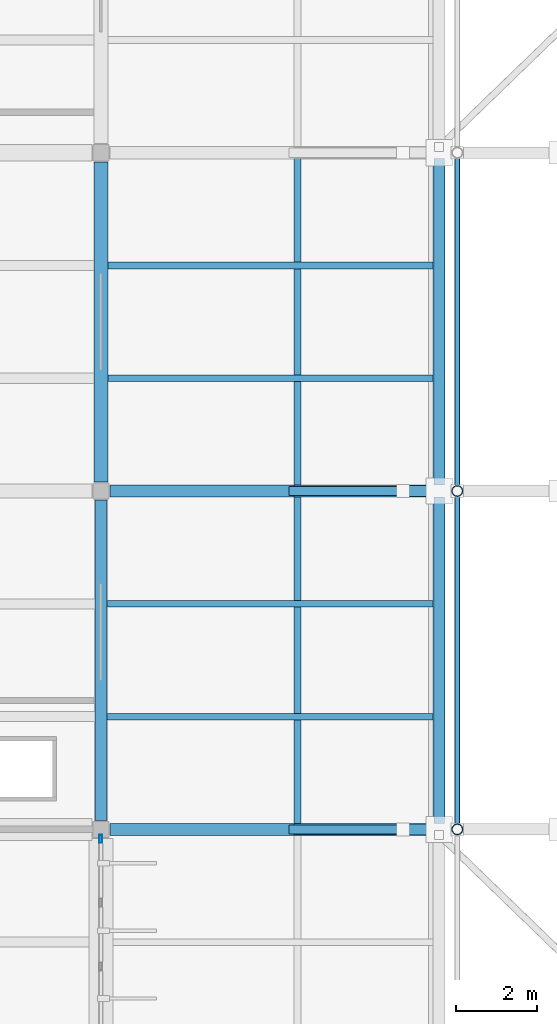
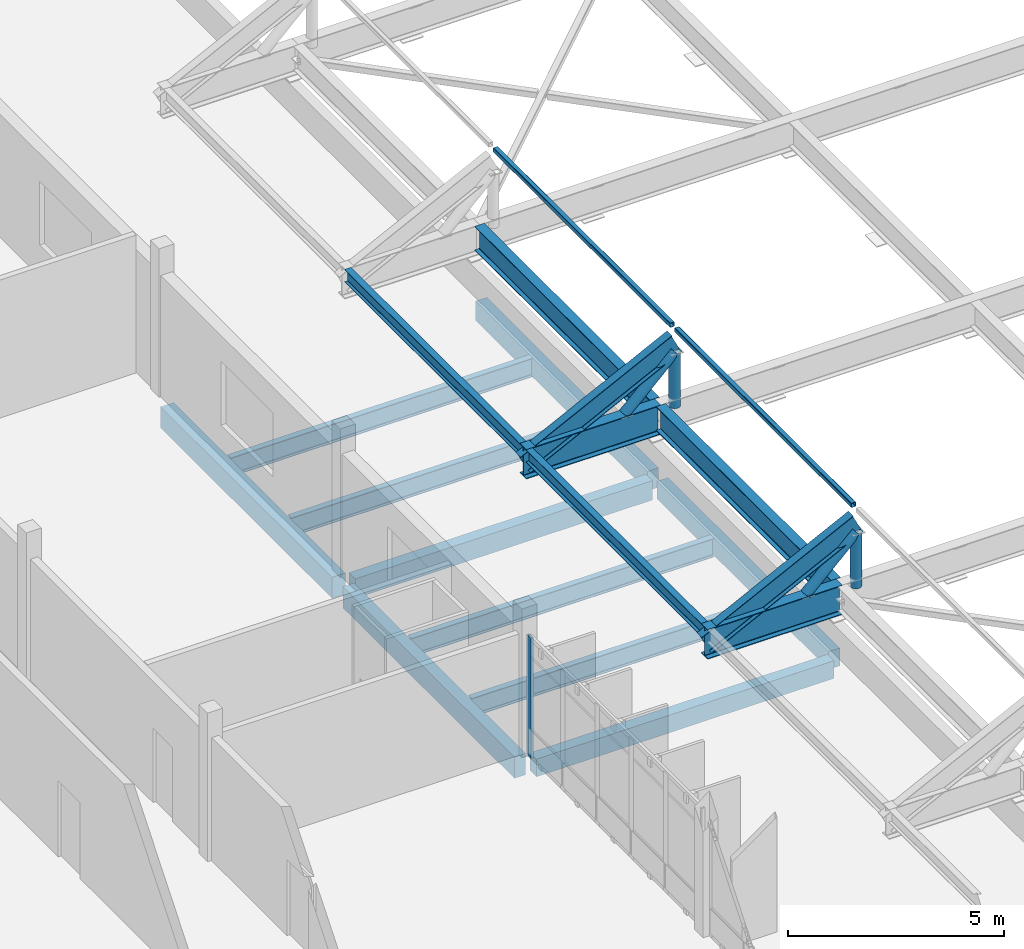
# One storey, part 14 of 41: 18 beams, 7 members, 1 element without a shape of its own.
"""IFC4 building model written with IfcOpenShell, lengths in metres."""

import ifcopenshell
import ifcopenshell.guid

model = None  # the IFC model being written
_history = None  # IfcOwnerHistory: only IFC2X3 demands one
_inside = {}  # id of a spatial element -> (the spatial element, [elements in it])
_under = {}  # id of a project, library or spatial element -> (it, [spatial elements below it])
_declared = {}  # id of a project -> (the project, [libraries it declares])
_typed = {}  # id of a type object -> (the type object, [elements of that type])
_made_of = {}  # id of a material, layer set ... -> (it, [elements and type objects made of it])


def new_model(schema):
    """Start an empty IFC model of exactly this schema.

    Asked for "IFC4X3", IfcOpenShell would pick the latest addendum, in which some entities
    have other attributes; the version numbers below select the first issue.
    IFC2X3 requires an IfcOwnerHistory on every rooted entity: one is made here for all.
    """
    global model, _history
    if schema == "IFC4X3":
        model = ifcopenshell.file(schema_version=(4, 3, 0, 0))
    else:
        model = ifcopenshell.file(schema=schema)
    _inside.clear()
    _under.clear()
    _declared.clear()
    _typed.clear()
    _made_of.clear()
    _history = None
    if model.schema == "IFC2X3":
        org = make("IfcOrganization", Name="unknown")
        user = make(
            "IfcPersonAndOrganization",
            ThePerson=make("IfcPerson", FamilyName="unknown"),
            TheOrganization=org,
        )
        app = make(
            "IfcApplication",
            ApplicationDeveloper=org,
            Version="unknown",
            ApplicationFullName="unknown",
            ApplicationIdentifier="unknown",
        )
        _history = make(
            "IfcOwnerHistory",
            OwningUser=user,
            OwningApplication=app,
            ChangeAction="ADDED",
            CreationDate=0,
        )
    return model


def make(cls, **values):
    """One entity of the class cls with the attributes given. An attribute that is None is left unset."""
    return model.create_entity(
        cls, **{name: value for name, value in values.items() if value is not None}
    )


def rooted(cls, **values):
    """An entity with a GlobalId (a new one), such as an element, a storey or a relation."""
    return make(cls, GlobalId=ifcopenshell.guid.new(), OwnerHistory=_history, **values)


def si_unit(unit_type, name, prefix=None):
    """IfcSIUnit, for example si_unit("LENGTHUNIT", "METRE", prefix="MILLI")."""
    return make("IfcSIUnit", UnitType=unit_type, Prefix=prefix, Name=name)


def assignment(units):
    """IfcUnitAssignment: the units of a project."""
    return None if units is None else make("IfcUnitAssignment", Units=units)


def point(xyz):
    """IfcCartesianPoint."""
    return None if xyz is None else make("IfcCartesianPoint", Coordinates=xyz)


def direction(xyz):
    """IfcDirection."""
    return None if xyz is None else make("IfcDirection", DirectionRatios=xyz)


def frame(location, z_axis=None, x_axis=None):
    """IfcAxis2Placement3D, a coordinate frame: its origin and axes. An axis left out is left unset."""
    return make(
        "IfcAxis2Placement3D",
        Location=point(location),
        Axis=direction(z_axis),
        RefDirection=direction(x_axis),
    )


def frame_2d(location, x_axis=None):
    """IfcAxis2Placement2D, a coordinate frame in the plane: its origin and x axis."""
    return make(
        "IfcAxis2Placement2D", Location=point(location), RefDirection=direction(x_axis)
    )


def origin():
    """The frame at (0, 0, 0) with its axes left unset."""
    return frame((0.0, 0.0, 0.0))


def origin_2d():
    """The frame at (0, 0) in the plane with its x axis left unset."""
    return frame_2d((0.0, 0.0))


def place(relative_to, where):
    """IfcLocalPlacement: puts the frame where relative to a parent placement (None: the world)."""
    return make(
        "IfcLocalPlacement", PlacementRelTo=relative_to, RelativePlacement=where
    )


def context(
    kind, dimensions, precision=None, world=None, true_north=None, identifier=None
):
    """IfcGeometricRepresentationContext, for example the 3D "Model" context."""
    return make(
        "IfcGeometricRepresentationContext",
        ContextIdentifier=identifier,
        ContextType=kind,
        CoordinateSpaceDimension=dimensions,
        Precision=precision,
        WorldCoordinateSystem=world,
        TrueNorth=true_north,
    )


def subcontext(parent, identifier, kind, view, scale=None):
    """IfcGeometricRepresentationSubContext, for example "Body" below "Model"."""
    return make(
        "IfcGeometricRepresentationSubContext",
        ContextIdentifier=identifier,
        ContextType=kind,
        ParentContext=parent,
        TargetScale=scale,
        TargetView=view,
    )


def project(units=None, contexts=None):
    """IfcProject with its units and contexts."""
    return rooted(
        "IfcProject",
        Name="project",
        RepresentationContexts=contexts,
        UnitsInContext=assignment(units),
    )


def spatial(cls, under=None, at=None, **own):
    """A site, building, storey or space (cls), placed at a placement, below another one or the project."""
    s = rooted(cls, ObjectPlacement=at, **own)
    if under is not None:
        _under.setdefault(under.id(), (under, []))[1].append(s)
    return s


def profile(cls, at=None, kind="AREA", **sizes):
    """A parametric profile (cls). Its sizes go by their IFC names, for example OverallWidth=200.0."""
    return make(cls, ProfileType=kind, Position=at, **sizes)


def rectangle(**sizes):
    """IfcRectangleProfileDef."""
    return profile("IfcRectangleProfileDef", **sizes)


def hollow_rectangle(**sizes):
    """IfcRectangleHollowProfileDef."""
    return profile("IfcRectangleHollowProfileDef", **sizes)


def hollow_circle(**sizes):
    """IfcCircleHollowProfileDef."""
    return profile("IfcCircleHollowProfileDef", **sizes)


def i_section(**sizes):
    """IfcIShapeProfileDef."""
    return profile("IfcIShapeProfileDef", **sizes)


def extrude(swept, where, along, depth):
    """IfcExtrudedAreaSolid: the profile swept, set in the frame where, extruded along a direction by depth."""
    return make(
        "IfcExtrudedAreaSolid",
        SweptArea=swept,
        Position=where,
        ExtrudedDirection=direction(along),
        Depth=depth,
    )


def shape(context_of_items, identifier, shape_type, items):
    """IfcShapeRepresentation: the items that make up one representation, for example the "Body"."""
    return make(
        "IfcShapeRepresentation",
        ContextOfItems=context_of_items,
        RepresentationIdentifier=identifier,
        RepresentationType=shape_type,
        Items=items,
    )


def material(Name=None, Category=None):
    """IfcMaterial."""
    return make("IfcMaterial", Name=Name, Category=Category)


def layer(
    of_material, thickness, ventilated=None, Name=None, Category=None, Priority=None
):
    """IfcMaterialLayer: one layer of a wall or slab, of a material (None: an air gap)."""
    return make(
        "IfcMaterialLayer",
        Material=of_material,
        LayerThickness=thickness,
        IsVentilated=ventilated,
        Name=Name,
        Category=Category,
        Priority=Priority,
    )


def layer_set(layers, Name=None):
    """IfcMaterialLayerSet."""
    return make("IfcMaterialLayerSet", MaterialLayers=layers, LayerSetName=Name)


def material_profile(
    of_material, cross_section, Name=None, Category=None, Priority=None
):
    """IfcMaterialProfile: a cross section and its material."""
    return make(
        "IfcMaterialProfile",
        Name=Name,
        Material=of_material,
        Profile=cross_section,
        Priority=Priority,
        Category=Category,
    )


def profile_set(profiles, Name=None, composite=None):
    """IfcMaterialProfileSet."""
    return make(
        "IfcMaterialProfileSet",
        Name=Name,
        MaterialProfiles=profiles,
        CompositeProfile=composite,
    )


def made_of(thing, what):
    """Note that an element or type object is made of a material, layer set ...; save() writes the relation."""
    if what is not None:
        _made_of.setdefault(what.id(), (what, []))[1].append(thing)
    return thing


def type_object(cls, material=None, **own):
    """A type object (cls), such as IfcWallType, which elements share."""
    return made_of(rooted(cls, **own), material)


def element(
    cls,
    number,
    at=None,
    inside=None,
    cuts=None,
    type_object=None,
    material=None,
    context=None,
    identifier="Body",
    shape_type=None,
    held_by="IfcProductDefinitionShape",
    body=None,
    shapes=None,
    **own,
):
    """One element of the class cls, such as IfcWall. Its Tag is "e" and its number.

    at: its placement. inside: the storey or other place that contains it. cuts: it is an
    opening in that element (IfcRelVoidsElement). A single representation is given by context,
    identifier, shape_type and body (its items); several are given by shapes. held_by: the class
    of the entity that holds the representations. save() writes the other relations.
    """
    e = rooted(cls, Tag="e%d" % number, ObjectPlacement=at, **own)
    if body is not None:
        shapes = [shape(context, identifier, shape_type, body)]
    if shapes is not None:
        e.Representation = make(held_by, Representations=shapes)
    if inside is not None:
        _inside.setdefault(inside.id(), (inside, []))[1].append(e)
    if cuts is not None:
        rooted(
            "IfcRelVoidsElement", RelatingBuildingElement=cuts, RelatedOpeningElement=e
        )
    if type_object is not None:
        _typed.setdefault(type_object.id(), (type_object, []))[1].append(e)
    return made_of(e, material)


def aggregate(whole, parts):
    """IfcRelAggregates: a whole, such as a stair, and the parts it consists of."""
    return rooted("IfcRelAggregates", RelatingObject=whole, RelatedObjects=parts)


def save(model, path):
    """Write the relations noted so far, then the file.

    IfcRelAggregates (storeys below a building ...), IfcRelContainedInSpatialStructure (elements
    in a storey), IfcRelDefinesByType, IfcRelAssociatesMaterial and IfcRelDeclares: one each for
    every whole, place, type object, material and project.
    """
    for whole, parts in _under.values():
        aggregate(whole, parts)
    for where, things in _inside.values():
        rooted(
            "IfcRelContainedInSpatialStructure",
            RelatedElements=things,
            RelatingStructure=where,
        )
    for kind, things in _typed.values():
        rooted("IfcRelDefinesByType", RelatedObjects=things, RelatingType=kind)
    for what, things in _made_of.values():
        rooted("IfcRelAssociatesMaterial", RelatedObjects=things, RelatingMaterial=what)
    for by, libraries in _declared.values():
        rooted("IfcRelDeclares", RelatingContext=by, RelatedDefinitions=libraries)
    model.write(path)


model = new_model("IFC4")

# Units and contexts
model_context = context("Model", 3, precision=1e-05, world=origin(), true_north=direction((0.0, 1.0)))
body_context = subcontext(model_context, "Body", "Model", "MODEL_VIEW")
ifc_project = project(units=[si_unit("LENGTHUNIT", "METRE"), si_unit("AREAUNIT", "SQUARE_METRE"), si_unit("VOLUMEUNIT", "CUBIC_METRE"), si_unit("PLANEANGLEUNIT", "RADIAN"), si_unit("MASSUNIT", "GRAM", prefix="KILO")], contexts=[model_context])

# Site, building, storey
site_placement = place(None, origin())
site = spatial("IfcSite", under=ifc_project, at=site_placement, CompositionType="ELEMENT")
building_placement = place(site_placement, origin())
building = spatial("IfcBuilding", under=site, at=building_placement, Name="Vireocrest Preparatory School", CompositionType="ELEMENT")
storey_placement = place(building_placement, frame((0.0, 0.0, 21.60009765625)))
storey = spatial("IfcBuildingStorey", under=building, at=storey_placement, Name="L05", CompositionType="ELEMENT", Elevation=21.60009765625)

# Beams
ifc_material_1 = material(Name="Structural steel ASTM A992 Grade 50", Category="steel")
ifc_material_profile_1 = material_profile(ifc_material_1, i_section(OverallWidth=0.25390625, OverallDepth=0.68408203125, WebThickness=0.012451171875, FlangeThickness=0.018798828125, FilletRadius=0.01806640625, at=origin_2d()), Name="W27X94")
ifc_profile_set_1 = profile_set([ifc_material_profile_1], Name="Structural steel ASTM A992 Grade 50")
beam_type_1 = type_object("IfcBeamType", Name="Bridge Primary Steel Girder W27X94", PredefinedType="BEAM", material=ifc_profile_set_1)
for number, where, z_axis, x_axis, name in (
    (1, (67.199951171875, 60.743896484375, 1.492919921875), (0.0, 1.0, 0.0), (-1.0, 0.0, 0.0), "Canopy Longitudinal Beam WO-5"),
    (2, (67.199951171875, 69.14404296875, 1.492919921875), (0.0, 1.0, 0.0), (-1.0, 0.0, 0.0), "Canopy Longitudinal Beam WO-6"),
):
    element("IfcBeam", number, at=place(storey_placement, frame(where, z_axis=z_axis, x_axis=x_axis)), inside=storey, type_object=beam_type_1, Name=name, PredefinedType="BEAM", context=body_context, shape_type="SweptSolid", body=[
        extrude(i_section(OverallWidth=0.25390625, OverallDepth=0.68408203125, WebThickness=0.012451171875, FlangeThickness=0.018798828125, FilletRadius=0.01806640625, at=origin_2d()), origin(), (0.0, 0.0, 1.0), 8.112060546875),
    ])

# Curtain wall, member
ifc_material_2 = material(Name="Thermally broken aluminium EN AW-6063-T6", Category="aluminium")
ifc_layer = layer(ifc_material_2, 0.179931640625)
ifc_layer_set = layer_set([ifc_layer], Name="Thermally broken aluminium EN AW-6063-T6")
curtain_wall_type = type_object("IfcCurtainWallType", Name="Teaching Fin Curtain Wall 8400x4200", PredefinedType="USERDEFINED", material=ifc_layer_set)
curtain_wall_placement = place(storey_placement, origin())
curtain_wall = element("IfcCurtainWall", 3, at=curtain_wall_placement, inside=storey, type_object=curtain_wall_type, Name="Curtain Wall CW03 CW_L05_CW03_0588_0524_216", ObjectType="CURTAIN WALL", PredefinedType="USERDEFINED")
ifc_material_profile_2 = material_profile(ifc_material_2, hollow_rectangle(XDim=0.074951171875, YDim=0.199951171875, WallThickness=0.0048828125, at=origin_2d()), Name="ALU 75x200x5")
ifc_profile_set_2 = profile_set([ifc_material_profile_2], Name="Thermally broken aluminium EN AW-6063-T6")
member_type_1 = type_object("IfcMemberType", Name="CW Mullion 75x200x5", PredefinedType="MULLION", material=ifc_profile_set_2)
member_1_placement = place(storey_placement, frame((58.800048828125, 60.364990234375, 0.0), z_axis=(0.0, 0.0, 1.0), x_axis=(1.0, 0.0, 0.0)))
member_1 = element("IfcMember", 4, at=member_1_placement, type_object=member_type_1, Name="CW Mullion ML3 CW_L05_CW03_0588_0524_216-6", PredefinedType="MULLION", context=body_context, shape_type="SweptSolid", body=[
    extrude(hollow_rectangle(XDim=0.074951171875, YDim=0.199951171875, WallThickness=0.0048828125, at=origin_2d()), origin(), (0.0, 0.0, 1.0), 3.39501953125),
])
aggregate(curtain_wall, [member_1])

# Members
ifc_material_3 = material(Name="Painted white steel ASTM A500 Grade C", Category="steel")
ifc_material_profile_3 = material_profile(ifc_material_3, hollow_rectangle(XDim=0.126953125, YDim=0.126953125, WallThickness=0.0087890625, InnerFilletRadius=0.0087890625, OuterFilletRadius=0.017822265625, at=origin_2d()), Name="HSS5X5X3/8")
ifc_profile_set_3 = profile_set([ifc_material_profile_3], Name="Painted white steel ASTM A500 Grade C")
member_type_2 = type_object("IfcMemberType", Name="Canopy Glass Steel Purlin HSS5X5X3/8", PredefinedType="PURLIN", material=ifc_profile_set_3)
for number, where, z_axis, x_axis, name in (
    (5, (67.64990234375, 60.7099609375, 3.7919921875), (0.0, 1.0, 0.0), (-1.0, 0.0, 0.0), "Canopy Glass Purlin PR2-5-2"),
    (6, (67.64990234375, 69.110107421875, 3.7919921875), (0.0, 1.0, 0.0), (-1.0, 0.0, 0.0), "Canopy Glass Purlin PR2-6-2"),
):
    element("IfcMember", number, at=place(storey_placement, frame(where, z_axis=z_axis, x_axis=x_axis)), inside=storey, type_object=member_type_2, Name=name, PredefinedType="PURLIN", context=body_context, shape_type="SweptSolid", body=[
        extrude(hollow_rectangle(XDim=0.126953125, YDim=0.126953125, WallThickness=0.0087890625, InnerFilletRadius=0.0087890625, OuterFilletRadius=0.017822265625, at=origin_2d()), origin(), (0.0, 0.0, 1.0), 8.179931640625),
    ])

# Beams
ifc_material_profile_4 = material_profile(ifc_material_1, i_section(OverallWidth=0.2919921875, OverallDepth=0.8349609375, WebThickness=0.013916015625, FlangeThickness=0.018798828125, FilletRadius=0.02001953125, at=origin_2d()), Name="W33X118")
ifc_profile_set_4 = profile_set([ifc_material_profile_4], Name="Structural steel ASTM A992 Grade 50")
beam_type_2 = type_object("IfcBeamType", Name="Central Court Canopy Primary Girder W33X118", PredefinedType="BEAM", material=ifc_profile_set_4)
for number, where, z_axis, x_axis, name in (
    (7, (63.60009765625, 60.60009765625, 1.41748046875), (1.0, 0.0, 0.0), (0.0, 1.0, 0.0), "Central Court Canopy Primary Girder CG1-5W"),
    (8, (63.60009765625, 69.0, 1.41748046875), (1.0, 0.0, 0.0), (0.0, 1.0, 0.0), "Central Court Canopy Primary Girder CG1-6W"),
):
    element("IfcBeam", number, at=place(storey_placement, frame(where, z_axis=z_axis, x_axis=x_axis)), inside=storey, type_object=beam_type_2, Name=name, PredefinedType="BEAM", context=body_context, shape_type="SweptSolid", body=[
        extrude(i_section(OverallWidth=0.2919921875, OverallDepth=0.8349609375, WebThickness=0.013916015625, FlangeThickness=0.018798828125, FilletRadius=0.02001953125, at=origin_2d()), origin(), (0.0, 0.0, 1.0), 3.599853515625),
    ])
ifc_material_profile_5 = material_profile(ifc_material_1, i_section(OverallWidth=0.22802734375, OverallDepth=0.60302734375, WebThickness=0.010498046875, FlangeThickness=0.014892578125, FilletRadius=0.01611328125, at=origin_2d()), Name="W24X68")
ifc_profile_set_5 = profile_set([ifc_material_profile_5], Name="Structural steel ASTM A992 Grade 50")
beam_type_3 = type_object("IfcBeamType", Name="Dining Pavilion Roof Girder W24X68", PredefinedType="BEAM", material=ifc_profile_set_5)
for number, where, z_axis, x_axis, name in (
    (9, (63.60009765625, 60.60009765625, 1.374267578125), (0.894858343539, 0.0, 0.446350249243), (0.0, 1.0, 0.0), "Canopy Rafter Chord SB4-5-1"),
    (10, (63.60009765625, 69.0, 1.374267578125), (0.894858343539, 0.0, 0.446350249243), (0.0, 1.0, 0.0), "Canopy Rafter Chord SB4-6-1"),
):
    element("IfcBeam", number, at=place(storey_placement, frame(where, z_axis=z_axis, x_axis=x_axis)), inside=storey, type_object=beam_type_3, Name=name, PredefinedType="BEAM", context=body_context, shape_type="SweptSolid", body=[
        extrude(i_section(OverallWidth=0.22802734375, OverallDepth=0.60302734375, WebThickness=0.010498046875, FlangeThickness=0.014892578125, FilletRadius=0.01611328125, at=origin_2d()), origin(), (0.0, 0.0, 1.0), 4.525634765625),
    ])
ifc_material_profile_6 = material_profile(ifc_material_1, i_section(OverallWidth=0.172119140625, OverallDepth=0.35791015625, WebThickness=0.0078125, FlangeThickness=0.01318359375, FilletRadius=0.012939453125, at=origin_2d()), Name="W14X38")
ifc_profile_set_6 = profile_set([ifc_material_profile_6], Name="Structural steel ASTM A992 Grade 50")
beam_type_4 = type_object("IfcBeamType", Name="Entrance Canopy Header Lintel W14X38", PredefinedType="USERDEFINED", material=ifc_profile_set_6)
for number, where, z_axis, x_axis, name in (
    (11, (63.679931640625, 60.743896484375, 1.656005859375), (0.0, 1.0, 0.0), (-1.0, 0.0, 0.0), "Canopy Longitudinal Beam WTIP-5"),
    (12, (63.679931640625, 69.14404296875, 1.656005859375), (0.0, 1.0, 0.0), (-1.0, 0.0, 0.0), "Canopy Longitudinal Beam WTIP-6"),
):
    element("IfcBeam", number, at=place(storey_placement, frame(where, z_axis=z_axis, x_axis=x_axis)), inside=storey, type_object=beam_type_4, Name=name, ObjectType="LINTEL", PredefinedType="USERDEFINED", context=body_context, shape_type="SweptSolid", body=[
        extrude(i_section(OverallWidth=0.172119140625, OverallDepth=0.35791015625, WebThickness=0.0078125, FlangeThickness=0.01318359375, FilletRadius=0.012939453125, at=origin_2d()), origin(), (0.0, 0.0, 1.0), 8.112060546875),
    ])
ifc_material_profile_7 = material_profile(ifc_material_1, i_section(OverallWidth=0.166015625, OverallDepth=0.529052734375, WebThickness=0.009765625, FlangeThickness=0.013671875, FilletRadius=0.014892578125, at=origin_2d()), Name="W21X50")
ifc_profile_set_7 = profile_set([ifc_material_profile_7], Name="Structural steel ASTM A992 Grade 50")
beam_type_5 = type_object("IfcBeamType", Name="Pavilion Roof Joist W21X50", PredefinedType="JOIST", material=ifc_profile_set_7)
for number, where, z_axis, x_axis, name in (
    (13, (58.949951171875, 63.39990234375, -0.484619140625), (1.0, 0.0, 0.0), (0.0, 1.0, 0.0), "Secondary Joist SJ1 L05-1645"),
    (14, (58.949951171875, 66.199951171875, -0.484619140625), (1.0, 0.0, 0.0), (0.0, 1.0, 0.0), "Secondary Joist SJ1 L05-1646"),
):
    element("IfcBeam", number, at=place(storey_placement, frame(where, z_axis=z_axis, x_axis=x_axis)), inside=storey, type_object=beam_type_5, Name=name, PredefinedType="JOIST", context=body_context, shape_type="SweptSolid", body=[
        extrude(i_section(OverallWidth=0.166015625, OverallDepth=0.529052734375, WebThickness=0.009765625, FlangeThickness=0.013671875, FilletRadius=0.014892578125, at=origin_2d()), origin(), (0.0, 0.0, 1.0), 8.10009765625),
    ])
for number, where, z_axis, x_axis, name in (
    (15, (58.97509765625, 71.800048828125, -0.484619140625), (1.0, 0.0, 0.0), (0.0, 1.0, 0.0), "Secondary Joist SJ1 L05-1647"),
    (16, (58.97509765625, 74.60009765625, -0.484619140625), (1.0, 0.0, 0.0), (0.0, 1.0, 0.0), "Secondary Joist SJ1 L05-1648"),
):
    element("IfcBeam", number, at=place(storey_placement, frame(where, z_axis=z_axis, x_axis=x_axis)), inside=storey, type_object=beam_type_5, Name=name, PredefinedType="JOIST", context=body_context, shape_type="SweptSolid", body=[
        extrude(i_section(OverallWidth=0.166015625, OverallDepth=0.529052734375, WebThickness=0.009765625, FlangeThickness=0.013671875, FilletRadius=0.014892578125, at=origin_2d()), origin(), (0.0, 0.0, 1.0), 8.074951171875),
    ])
ifc_material_4 = material(Name="Concrete 40 MPa", Category="concrete")
ifc_material_profile_8 = material_profile(ifc_material_4, rectangle(XDim=0.300048828125, YDim=0.60009765625, at=origin_2d()), Name="RC 300x600")
ifc_profile_set_8 = profile_set([ifc_material_profile_8], Name="Concrete 40 MPa")
beam_type_6 = type_object("IfcBeamType", Name="RC Classroom Beam 300x600", PredefinedType="BEAM", material=ifc_profile_set_8)
beam_1_placement = place(storey_placement, frame((58.800048828125, 60.824951171875, -0.56005859375), z_axis=(0.0, 1.0, 0.0), x_axis=(-1.0, 0.0, 0.0)))
element("IfcBeam", 17, at=beam_1_placement, inside=storey, type_object=beam_type_6, Name="Primary Girder B03 L05-1580", PredefinedType="BEAM", context=body_context, shape_type="SweptSolid", body=[
    extrude(rectangle(XDim=0.300048828125, YDim=0.60009765625, at=origin_2d()), origin(), (0.0, 0.0, 1.0), 7.949951171875),
])
ifc_material_profile_9 = material_profile(ifc_material_4, rectangle(XDim=0.35009765625, YDim=0.60009765625, at=origin_2d()), Name="RC 350x600")
ifc_profile_set_9 = profile_set([ifc_material_profile_9], Name="Concrete 40 MPa")
beam_type_7 = type_object("IfcBeamType", Name="RC Classroom Girder 350x600", PredefinedType="BEAM", material=ifc_profile_set_9)
beam_2_placement = place(storey_placement, frame((58.800048828125, 69.22509765625, -0.56005859375), z_axis=(0.0, 1.0, 0.0), x_axis=(-1.0, 0.0, 0.0)))
element("IfcBeam", 18, at=beam_2_placement, inside=storey, type_object=beam_type_7, Name="Primary Girder B04 L05-1581", PredefinedType="BEAM", context=body_context, shape_type="SweptSolid", body=[
    extrude(rectangle(XDim=0.35009765625, YDim=0.60009765625, at=origin_2d()), origin(), (0.0, 0.0, 1.0), 7.949951171875),
])
ifc_material_profile_10 = material_profile(ifc_material_4, rectangle(XDim=0.300048828125, YDim=0.5, at=origin_2d()), Name="RC 300x500")
ifc_profile_set_10 = profile_set([ifc_material_profile_10], Name="Concrete 40 MPa")
beam_type_8 = type_object("IfcBeamType", Name="RC Roof Edge Beam 300x500", PredefinedType="BEAM", material=ifc_profile_set_10)
beam_3_placement = place(storey_placement, frame((59.02490234375, 60.60009765625, -0.47021484375), z_axis=(1.0, 0.0, 0.0), x_axis=(0.0, 1.0, 0.0)))
element("IfcBeam", 19, at=beam_3_placement, inside=storey, type_object=beam_type_8, Name="Primary Girder B01 L05-1529", PredefinedType="BEAM", context=body_context, shape_type="SweptSolid", body=[
    extrude(rectangle(XDim=0.300048828125, YDim=0.5, at=origin_2d()), origin(), (0.0, 0.0, 1.0), 7.9501953125),
])
beam_4_placement = place(storey_placement, frame((67.199951171875, 60.824951171875, -0.47021484375), z_axis=(0.0, 1.0, 0.0), x_axis=(-1.0, 0.0, 0.0)))
element("IfcBeam", 20, at=beam_4_placement, inside=storey, type_object=beam_type_8, Name="Primary Girder B01 L05-1588", PredefinedType="BEAM", context=body_context, shape_type="SweptSolid", body=[
    extrude(rectangle(XDim=0.300048828125, YDim=0.5, at=origin_2d()), origin(), (0.0, 0.0, 1.0), 7.949951171875),
])
ifc_material_profile_11 = material_profile(ifc_material_4, rectangle(XDim=0.300048828125, YDim=0.550048828125, at=origin_2d()), Name="RC 300x550")
ifc_profile_set_11 = profile_set([ifc_material_profile_11], Name="Concrete 40 MPa")
beam_type_9 = type_object("IfcBeamType", Name="RC Roof Girder 300x550", PredefinedType="BEAM", material=ifc_profile_set_11)
beam_5_placement = place(storey_placement, frame((59.02490234375, 69.0, -0.4951171875), z_axis=(1.0, 0.0, 0.0), x_axis=(0.0, 1.0, 0.0)))
element("IfcBeam", 21, at=beam_5_placement, inside=storey, type_object=beam_type_9, Name="Primary Girder B02 L05-1534", PredefinedType="BEAM", context=body_context, shape_type="SweptSolid", body=[
    extrude(rectangle(XDim=0.300048828125, YDim=0.550048828125, at=origin_2d()), origin(), (0.0, 0.0, 1.0), 7.9501953125),
])
beam_6_placement = place(storey_placement, frame((67.199951171875, 69.22509765625, -0.4951171875), z_axis=(0.0, 1.0, 0.0), x_axis=(-1.0, 0.0, 0.0)))
element("IfcBeam", 22, at=beam_6_placement, inside=storey, type_object=beam_type_9, Name="Primary Girder B02 L05-1589", PredefinedType="BEAM", context=body_context, shape_type="SweptSolid", body=[
    extrude(rectangle(XDim=0.300048828125, YDim=0.550048828125, at=origin_2d()), origin(), (0.0, 0.0, 1.0), 7.949951171875),
])

# Members
ifc_material_profile_12 = material_profile(ifc_material_3, hollow_circle(Radius=0.136474609375, WallThickness=0.0126953125, at=origin_2d()), Name="HSS10.750X0.500")
ifc_profile_set_12 = profile_set([ifc_material_profile_12], Name="Painted white steel ASTM A500 Grade C")
member_type_3 = type_object("IfcMemberType", Name="White Steel Clerestory Strut HSS10.750X0.500", PredefinedType="USERDEFINED", material=ifc_profile_set_12)
member_2_placement = place(storey_placement, frame((67.64990234375, 60.60009765625, 1.577392578125), z_axis=(0.0, 0.0, 1.0), x_axis=(1.0, 0.0, 0.0)))
element("IfcMember", 23, at=member_2_placement, inside=storey, type_object=member_type_3, Name="Canopy Truss Web Vertical VS3-5-2", ObjectType="STRUT", PredefinedType="USERDEFINED", context=body_context, shape_type="SweptSolid", body=[
    extrude(hollow_circle(Radius=0.136474609375, WallThickness=0.0126953125, at=origin_2d()), origin(), (0.0, 0.0, 1.0), 1.54052734375),
])
member_3_placement = place(storey_placement, frame((66.300048828125, 60.60009765625, 1.81494140625), z_axis=(0.719488902292, 0.0, 0.694503937698), x_axis=(0.0, 1.0, 0.0)))
element("IfcMember", 24, at=member_3_placement, inside=storey, type_object=member_type_3, Name="Canopy Truss Web Strut VS3-5-1", ObjectType="STRUT", PredefinedType="USERDEFINED", context=body_context, shape_type="SweptSolid", body=[
    extrude(hollow_circle(Radius=0.136474609375, WallThickness=0.0126953125, at=origin_2d()), origin(), (0.0, 0.0, 1.0), 1.876220703125),
])
member_4_placement = place(storey_placement, frame((67.64990234375, 69.0, 1.577392578125), z_axis=(0.0, 0.0, 1.0), x_axis=(1.0, 0.0, 0.0)))
element("IfcMember", 25, at=member_4_placement, inside=storey, type_object=member_type_3, Name="Canopy Truss Web Vertical VS3-6-2", ObjectType="STRUT", PredefinedType="USERDEFINED", context=body_context, shape_type="SweptSolid", body=[
    extrude(hollow_circle(Radius=0.136474609375, WallThickness=0.0126953125, at=origin_2d()), origin(), (0.0, 0.0, 1.0), 1.54052734375),
])
member_5_placement = place(storey_placement, frame((66.300048828125, 69.0, 1.81494140625), z_axis=(0.719488902292, 0.0, 0.694503937698), x_axis=(0.0, 1.0, 0.0)))
element("IfcMember", 26, at=member_5_placement, inside=storey, type_object=member_type_3, Name="Canopy Truss Web Strut VS3-6-1", ObjectType="STRUT", PredefinedType="USERDEFINED", context=body_context, shape_type="SweptSolid", body=[
    extrude(hollow_circle(Radius=0.136474609375, WallThickness=0.0126953125, at=origin_2d()), origin(), (0.0, 0.0, 1.0), 1.876220703125),
])

save(model, "model.ifc")
